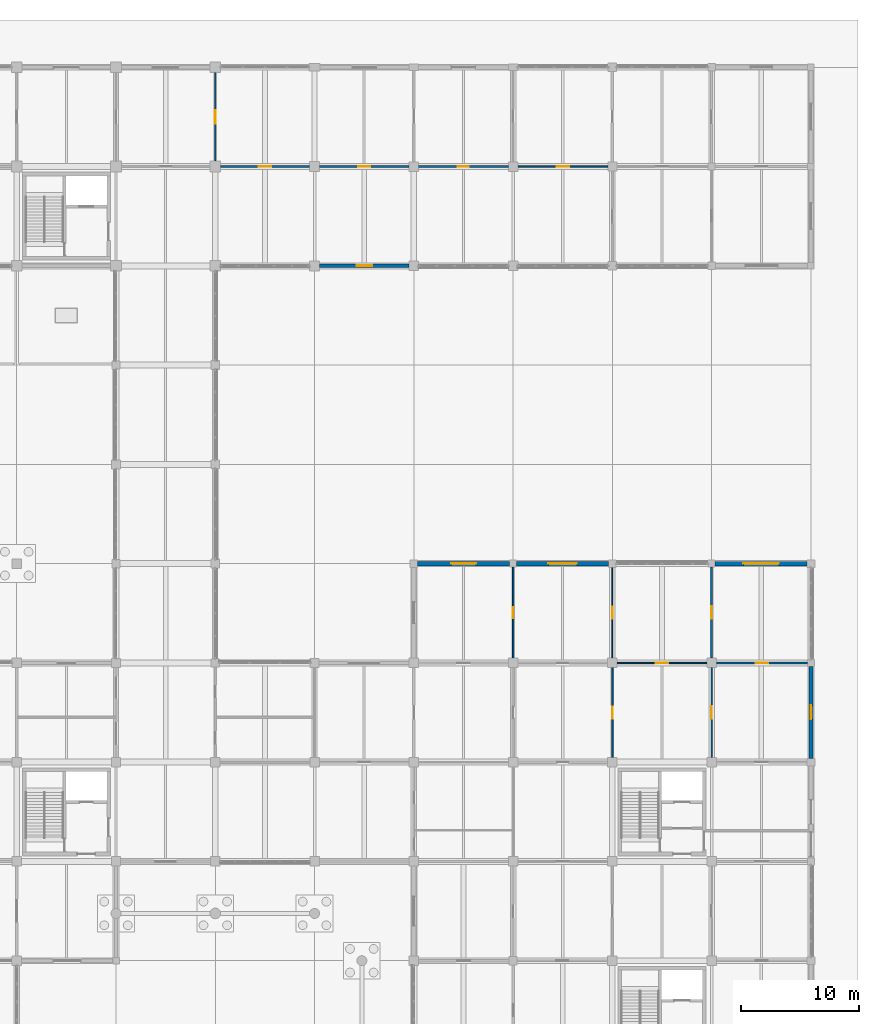
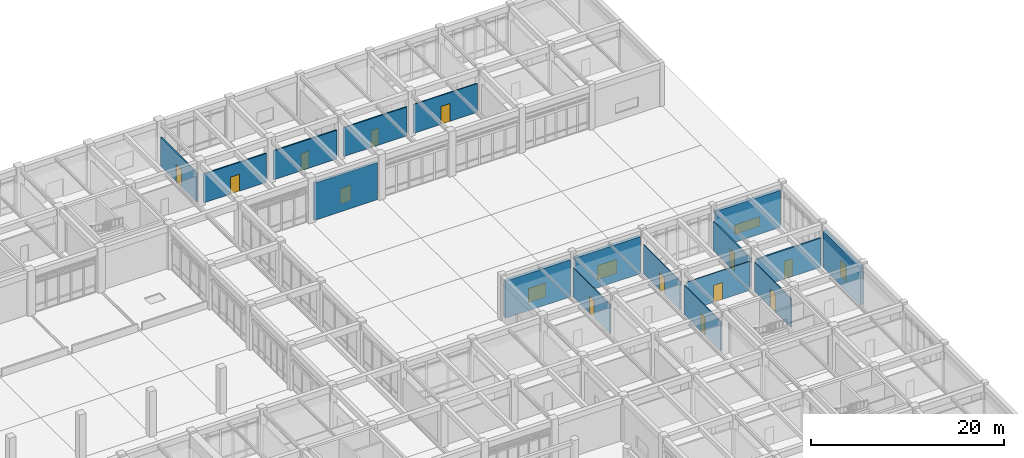
# One storey, part 81 of 91: 17 walls, 12 doors, 5 windows, 17 openings.
"""IFC4 building model written with IfcOpenShell, lengths in metres."""

from ifc_helpers import new_model, si_unit, direction, frame, frame_2d, origin, place, context, subcontext, project, spatial, rectangle, extrude, material, layer, layer_set, type_object, element, fill, save


model = new_model("IFC4")

# Units and contexts
model_context = context("Model", 3, precision=1e-05, world=origin(), true_north=direction((0.0, 1.0)))
body_context = subcontext(model_context, "Body", "Model", "MODEL_VIEW")
ifc_project = project(units=[si_unit("LENGTHUNIT", "METRE"), si_unit("AREAUNIT", "SQUARE_METRE"), si_unit("VOLUMEUNIT", "CUBIC_METRE"), si_unit("PLANEANGLEUNIT", "RADIAN"), si_unit("MASSUNIT", "GRAM", prefix="KILO")], contexts=[model_context])

# Site, building, storey
site_placement = place(None, origin())
site = spatial("IfcSite", under=ifc_project, at=site_placement, CompositionType="ELEMENT")
building_placement = place(site_placement, origin())
building = spatial("IfcBuilding", under=site, at=building_placement, Name="Porcellanite Civic Hall", CompositionType="ELEMENT")
storey_placement = place(building_placement, origin())
storey = spatial("IfcBuildingStorey", under=building, at=storey_placement, Name="L00", CompositionType="ELEMENT", Elevation=0.0)

# Wall, opening, window
ifc_material_1 = material(Name="Precast concrete N40 (40 MPa)", Category="concrete")
ifc_layer_1 = layer(ifc_material_1, 0.300048828125)
ifc_layer_set_1 = layer_set([ifc_layer_1], Name="Precast concrete N40 (40 MPa)")
wall_type_1 = type_object("IfcWallType", Name="EW-ADM300", PredefinedType="SOLIDWALL", material=ifc_layer_set_1)
wall_1_placement = place(storey_placement, frame((142.39892578125, 100.800048828125, 0.0), z_axis=(0.0, 0.0, 1.0), x_axis=(-1.0, 0.0, 0.0)))
wall_1 = element("IfcWall", 1, at=wall_1_placement, inside=storey, type_object=wall_type_1, Name="Exterior wall L00 S 17-13", PredefinedType="SOLIDWALL", context=body_context, shape_type="SweptSolid", body=[
    extrude(rectangle(XDim=7.572998046875, YDim=0.300048828125, at=frame_2d((3.78662109375, 0.0))), origin(), (0.0, 0.0, 1.0), 4.699951171875),
])
opening_1_placement = place(wall_1_placement, frame((3.136962890625, 0.0, 0.89990234375)))
opening_1 = element("IfcOpeningElement", 2, at=opening_1_placement, cuts=wall_1, Name="Opening W34", PredefinedType="OPENING", context=body_context, shape_type="SweptSolid", body=[
    extrude(rectangle(XDim=1.300048828125, YDim=1.949951171875, at=frame_2d((0.64990234375, 0.97509765625))), frame((0.0, 0.14990234375, 0.0), z_axis=(0.0, -1.0, 0.0), x_axis=(1.0, 0.0, 0.0)), (0.0, 0.0, 1.0), 0.300048828125),
])
ifc_material_2 = material(Name="Cyclone laminated low-E glazing in anodised aluminium frame", Category="aluminium")
window_type_1 = type_object("IfcWindowType", Name="WN-34", PartitioningType="SINGLE_PANEL", PredefinedType="WINDOW", material=ifc_material_2)
window_1_placement = place(opening_1_placement, origin())
window_1 = element("IfcWindow", 3, at=window_1_placement, inside=storey, type_object=window_type_1, Name="Window W34 L00 S 17-13", OverallHeight=1.949951171875, OverallWidth=1.300048828125, PartitioningType="SINGLE_PANEL", PredefinedType="WINDOW", context=body_context, shape_type="SweptSolid", body=[
    extrude(rectangle(XDim=1.300048828125, YDim=1.949951171875, at=frame_2d((0.64990234375, 0.97509765625))), frame((0.0, 0.030029296875, 0.0), z_axis=(0.0, -1.0, 0.0), x_axis=(1.0, 0.0, 0.0)), (0.0, 0.0, 1.0), 0.06005859375),
])
fill(opening_1, window_1)

ifc_material_3 = material(Name="Precast concrete N40 (40 MPa)", Category="concrete")
ifc_layer_2 = layer(ifc_material_3, 0.360107421875)
ifc_layer_set_2 = layer_set([ifc_layer_2], Name="Precast concrete N40 (40 MPa)")
wall_type_2 = type_object("IfcWallType", Name="EW-LIB360", PredefinedType="SOLIDWALL", material=ifc_layer_set_2)
wall_2_placement = place(storey_placement, frame((143.1259765625, 75.60009765625, 0.0), z_axis=(0.0, 0.0, 1.0), x_axis=(1.0, 0.0, 0.0)))
wall_2 = element("IfcWall", 4, at=wall_2_placement, inside=storey, type_object=wall_type_2, Name="Exterior wall L00 N 18-9", PredefinedType="SOLIDWALL", context=body_context, shape_type="SweptSolid", body=[
    extrude(rectangle(XDim=7.77294921875, YDim=0.360107421875, at=frame_2d((3.886474609375, 0.0))), origin(), (0.0, 0.0, 1.0), 4.699951171875),
])
opening_2_placement = place(wall_2_placement, frame((2.8369140625, 0.0, 0.89990234375)))
opening_2 = element("IfcOpeningElement", 5, at=opening_2_placement, cuts=wall_2, Name="Opening W02", PredefinedType="OPENING", context=body_context, shape_type="SweptSolid", body=[
    extrude(rectangle(XDim=2.10009765625, YDim=1.800048828125, at=frame_2d((1.050048828125, 0.89990234375))), frame((0.0, 0.18017578125, 0.0), z_axis=(0.0, -1.0, 0.0), x_axis=(1.0, 0.0, 0.0)), (0.0, 0.0, 1.0), 0.360107421875),
])
ifc_material_4 = material(Name="Cyclone laminated low-E glazing in anodised aluminium frame", Category="aluminium")
window_type_2 = type_object("IfcWindowType", Name="WN-02", PartitioningType="DOUBLE_PANEL_VERTICAL", PredefinedType="WINDOW", material=ifc_material_4)
window_2_placement = place(opening_2_placement, origin())
window_2 = element("IfcWindow", 6, at=window_2_placement, inside=storey, type_object=window_type_2, Name="Window W02 L00 N 18-9", OverallHeight=1.800048828125, OverallWidth=2.10009765625, PartitioningType="SINGLE_PANEL", PredefinedType="WINDOW", context=body_context, shape_type="SweptSolid", body=[
    extrude(rectangle(XDim=2.10009765625, YDim=1.800048828125, at=frame_2d((1.050048828125, 0.89990234375))), frame((0.0, 0.030029296875, 0.0), z_axis=(0.0, -1.0, 0.0), x_axis=(1.0, 0.0, 0.0)), (0.0, 0.0, 1.0), 0.06005859375),
])
fill(opening_2, window_2)

wall_3_placement = place(storey_placement, frame((151.5009765625, 75.60009765625, 0.0), z_axis=(0.0, 0.0, 1.0), x_axis=(1.0, 0.0, 0.0)))
wall_3 = element("IfcWall", 7, at=wall_3_placement, inside=storey, type_object=wall_type_2, Name="Exterior wall L00 N 19-9", PredefinedType="SOLIDWALL", context=body_context, shape_type="SweptSolid", body=[
    extrude(rectangle(XDim=7.77294921875, YDim=0.360107421875, at=frame_2d((3.886474609375, 0.0))), origin(), (0.0, 0.0, 1.0), 4.699951171875),
])
opening_3_placement = place(wall_3_placement, frame((2.68603515625, 0.0, 0.89990234375)))
opening_3 = element("IfcOpeningElement", 8, at=opening_3_placement, cuts=wall_3, Name="Opening W03", PredefinedType="OPENING", context=body_context, shape_type="SweptSolid", body=[
    extrude(rectangle(XDim=2.39990234375, YDim=1.800048828125, at=frame_2d((1.199951171875, 0.89990234375))), frame((0.0, 0.18017578125, 0.0), z_axis=(0.0, -1.0, 0.0), x_axis=(1.0, 0.0, 0.0)), (0.0, 0.0, 1.0), 0.360107421875),
])
ifc_material_5 = material(Name="Cyclone laminated low-E glazing in anodised aluminium frame", Category="aluminium")
window_type_3 = type_object("IfcWindowType", Name="WN-03", PartitioningType="TRIPLE_PANEL_VERTICAL", PredefinedType="WINDOW", material=ifc_material_5)
window_3_placement = place(opening_3_placement, origin())
window_3 = element("IfcWindow", 9, at=window_3_placement, inside=storey, type_object=window_type_3, Name="Window W03 L00 N 19-9", OverallHeight=1.800048828125, OverallWidth=2.39990234375, PartitioningType="SINGLE_PANEL", PredefinedType="WINDOW", context=body_context, shape_type="SweptSolid", body=[
    extrude(rectangle(XDim=2.39990234375, YDim=1.800048828125, at=frame_2d((1.199951171875, 0.89990234375))), frame((0.0, 0.030029296875, 0.0), z_axis=(0.0, -1.0, 0.0), x_axis=(1.0, 0.0, 0.0)), (0.0, 0.0, 1.0), 0.06005859375),
])
fill(opening_3, window_3)

wall_4_placement = place(storey_placement, frame((176.39990234375, 66.89892578125, 0.0), z_axis=(0.0, 0.0, 1.0), x_axis=(0.0, -1.0, 0.0)))
wall_4 = element("IfcWall", 10, at=wall_4_placement, inside=storey, type_object=wall_type_2, Name="Exterior wall L00 E 21-8", PredefinedType="SOLIDWALL", context=body_context, shape_type="SweptSolid", body=[
    extrude(rectangle(XDim=7.77294921875, YDim=0.360107421875, at=frame_2d((3.886474609375, 0.0))), origin(), (0.0, 0.0, 1.0), 4.699951171875),
])
opening_4_placement = place(wall_4_placement, frame((3.285888671875, 0.0, 0.89990234375)))
opening_4 = element("IfcOpeningElement", 11, at=opening_4_placement, cuts=wall_4, Name="Opening W08", PredefinedType="OPENING", context=body_context, shape_type="SweptSolid", body=[
    extrude(rectangle(XDim=1.199951171875, YDim=2.10009765625, at=frame_2d((0.60009765625, 1.050048828125))), frame((0.0, 0.18017578125, 0.0), z_axis=(0.0, -1.0, 0.0), x_axis=(1.0, 0.0, 0.0)), (0.0, 0.0, 1.0), 0.360107421875),
])
ifc_material_6 = material(Name="Cyclone laminated low-E glazing in anodised aluminium frame", Category="aluminium")
window_type_4 = type_object("IfcWindowType", Name="WN-08", PartitioningType="SINGLE_PANEL", PredefinedType="WINDOW", material=ifc_material_6)
window_4_placement = place(opening_4_placement, origin())
window_4 = element("IfcWindow", 12, at=window_4_placement, inside=storey, type_object=window_type_4, Name="Window W08 L00 E 21-8", OverallHeight=2.10009765625, OverallWidth=1.199951171875, PartitioningType="SINGLE_PANEL", PredefinedType="WINDOW", context=body_context, shape_type="SweptSolid", body=[
    extrude(rectangle(XDim=1.199951171875, YDim=2.10009765625, at=frame_2d((0.60009765625, 1.050048828125))), frame((0.0, 0.030029296875, 0.0), z_axis=(0.0, -1.0, 0.0), x_axis=(1.0, 0.0, 0.0)), (0.0, 0.0, 1.0), 0.06005859375),
])
fill(opening_4, window_4)

wall_5_placement = place(storey_placement, frame((168.301025390625, 75.60009765625, 0.0), z_axis=(0.0, 0.0, 1.0), x_axis=(1.0, 0.0, 0.0)))
wall_5 = element("IfcWall", 13, at=wall_5_placement, inside=storey, type_object=wall_type_2, Name="Exterior wall L00 N 21-9", PredefinedType="SOLIDWALL", context=body_context, shape_type="SweptSolid", body=[
    extrude(rectangle(XDim=7.77294921875, YDim=0.360107421875, at=frame_2d((3.886474609375, 0.0))), origin(), (0.0, 0.0, 1.0), 4.699951171875),
])
opening_5_placement = place(wall_5_placement, frame((2.385986328125, 0.0, 0.89990234375)))
opening_5 = element("IfcOpeningElement", 14, at=opening_5_placement, cuts=wall_5, Name="Opening W09", PredefinedType="OPENING", context=body_context, shape_type="SweptSolid", body=[
    extrude(rectangle(XDim=3.0, YDim=1.199951171875, at=frame_2d((1.5, 0.60009765625))), frame((0.0, 0.18017578125, 0.0), z_axis=(0.0, -1.0, 0.0), x_axis=(1.0, 0.0, 0.0)), (0.0, 0.0, 1.0), 0.360107421875),
])
ifc_material_7 = material(Name="Cyclone laminated low-E glazing in anodised aluminium frame", Category="aluminium")
window_type_5 = type_object("IfcWindowType", Name="WN-09", PartitioningType="TRIPLE_PANEL_HORIZONTAL", PredefinedType="WINDOW", material=ifc_material_7)
window_5_placement = place(opening_5_placement, origin())
window_5 = element("IfcWindow", 15, at=window_5_placement, inside=storey, type_object=window_type_5, Name="Window W09 L00 N 21-9", OverallHeight=1.199951171875, OverallWidth=3.0, PartitioningType="SINGLE_PANEL", PredefinedType="WINDOW", context=body_context, shape_type="SweptSolid", body=[
    extrude(rectangle(XDim=3.0, YDim=1.199951171875, at=frame_2d((1.5, 0.60009765625))), frame((0.0, 0.030029296875, 0.0), z_axis=(0.0, -1.0, 0.0), x_axis=(1.0, 0.0, 0.0)), (0.0, 0.0, 1.0), 0.06005859375),
])
fill(opening_5, window_5)

# Wall, opening, door
ifc_material_8 = material(Name="Fire-rated plasterboard on light-gauge steel studs", Category="steel")
ifc_layer_3 = layer(ifc_material_8, 0.14794921875)
ifc_layer_set_3 = layer_set([ifc_layer_3], Name="Fire-rated plasterboard on light-gauge steel studs")
wall_type_3 = type_object("IfcWallType", Name="IW-FR148", PredefinedType="PARTITIONING", material=ifc_layer_set_3)
wall_6_placement = place(storey_placement, frame((126.451904296875, 109.199951171875, 0.0), z_axis=(0.0, 0.0, 1.0), x_axis=(1.0, 0.0, 0.0)))
wall_6 = element("IfcWall", 16, at=wall_6_placement, inside=storey, type_object=wall_type_3, Name="Fire compartment wall L00 H 16-13", PredefinedType="PARTITIONING", context=body_context, shape_type="SweptSolid", body=[
    extrude(rectangle(XDim=7.52099609375, YDim=0.14794921875, at=frame_2d((3.760498046875, 0.0))), origin(), (0.0, 0.0, 1.0), 3.659912109375),
])
opening_6_placement = place(wall_6_placement, frame((3.236083984375, 0.0, 0.0)))
opening_6 = element("IfcOpeningElement", 17, at=opening_6_placement, cuts=wall_6, Name="Opening D-L00-061", PredefinedType="OPENING", context=body_context, shape_type="SweptSolid", body=[
    extrude(rectangle(XDim=1.050048828125, YDim=2.14990234375, at=frame_2d((0.52490234375, 1.074951171875))), frame((0.0, 0.073974609375, 0.0), z_axis=(0.0, -1.0, 0.0), x_axis=(1.0, 0.0, 0.0)), (0.0, 0.0, 1.0), 0.14794921875),
])
ifc_material_9 = material(Name="Fire-rated solid-core hardwood timber", Category="wood")
door_type_1 = type_object("IfcDoorType", Name="DR-FD105", OperationType="NOTDEFINED", PredefinedType="DOOR", material=ifc_material_9)
door_1_placement = place(opening_6_placement, origin())
door_1 = element("IfcDoor", 18, at=door_1_placement, inside=storey, type_object=door_type_1, Name="Interior door D-L00-061", OperationType="SINGLE_SWING_RIGHT", OverallHeight=2.14990234375, OverallWidth=1.050048828125, PredefinedType="DOOR", context=body_context, shape_type="SweptSolid", body=[
    extrude(rectangle(XDim=1.050048828125, YDim=2.14990234375, at=frame_2d((0.52490234375, 1.074951171875))), frame((0.0, 0.02490234375, 0.0), z_axis=(0.0, -1.0, 0.0), x_axis=(1.0, 0.0, 0.0)), (0.0, 0.0, 1.0), 0.050048828125),
])
fill(opening_6, door_1)

ifc_material_10 = material(Name="Fire-rated plasterboard on light-gauge steel studs", Category="steel")
ifc_layer_4 = layer(ifc_material_10, 0.159912109375)
ifc_layer_set_4 = layer_set([ifc_layer_4], Name="Fire-rated plasterboard on light-gauge steel studs")
wall_type_4 = type_object("IfcWallType", Name="IW-FR160", PredefinedType="PARTITIONING", material=ifc_layer_set_4)
wall_7_placement = place(storey_placement, frame((134.826904296875, 109.199951171875, 0.0), z_axis=(0.0, 0.0, 1.0), x_axis=(1.0, 0.0, 0.0)))
wall_7 = element("IfcWall", 19, at=wall_7_placement, inside=storey, type_object=wall_type_4, Name="Fire compartment wall L00 H 17-13", PredefinedType="PARTITIONING", context=body_context, shape_type="SweptSolid", body=[
    extrude(rectangle(XDim=7.571044921875, YDim=0.159912109375, at=frame_2d((3.78564453125, 0.0))), origin(), (0.0, 0.0, 1.0), 3.659912109375),
])
opening_7_placement = place(wall_7_placement, frame((3.284912109375, 0.0, 0.0)))
opening_7 = element("IfcOpeningElement", 20, at=opening_7_placement, cuts=wall_7, Name="Opening D-L00-063", PredefinedType="OPENING", context=body_context, shape_type="SweptSolid", body=[
    extrude(rectangle(XDim=1.0, YDim=2.14990234375, at=frame_2d((0.5, 1.074951171875))), frame((0.0, 0.080078125, 0.0), z_axis=(0.0, -1.0, 0.0), x_axis=(1.0, 0.0, 0.0)), (0.0, 0.0, 1.0), 0.159912109375),
])
ifc_material_11 = material(Name="Fire-rated solid-core hardwood timber", Category="wood")
door_type_2 = type_object("IfcDoorType", Name="DR-FD100", OperationType="NOTDEFINED", PredefinedType="DOOR", material=ifc_material_11)
door_2_placement = place(opening_7_placement, origin())
door_2 = element("IfcDoor", 21, at=door_2_placement, inside=storey, type_object=door_type_2, Name="Interior door D-L00-063", OperationType="SINGLE_SWING_RIGHT", OverallHeight=2.14990234375, OverallWidth=1.0, PredefinedType="DOOR", context=body_context, shape_type="SweptSolid", body=[
    extrude(rectangle(XDim=1.0, YDim=2.14990234375, at=frame_2d((0.5, 1.074951171875))), frame((0.0, 0.02490234375, 0.0), z_axis=(0.0, -1.0, 0.0), x_axis=(1.0, 0.0, 0.0)), (0.0, 0.0, 1.0), 0.050048828125),
])
fill(opening_7, door_2)

wall_8_placement = place(storey_placement, frame((126.0, 109.652099609375, 0.0), z_axis=(0.0, 0.0, 1.0), x_axis=(0.0, 1.0, 0.0)))
wall_8 = element("IfcWall", 22, at=wall_8_placement, inside=storey, type_object=wall_type_4, Name="Fire compartment wall L00 V 15-14", PredefinedType="PARTITIONING", context=body_context, shape_type="SweptSolid", body=[
    extrude(rectangle(XDim=7.495849609375, YDim=0.159912109375, at=frame_2d((3.748046875, 0.0))), origin(), (0.0, 0.0, 1.0), 3.659912109375),
])
opening_8_placement = place(wall_8_placement, frame((3.173095703125, 0.0, 0.0)))
opening_8 = element("IfcOpeningElement", 23, at=opening_8_placement, cuts=wall_8, Name="Opening D-L00-130", PredefinedType="OPENING", context=body_context, shape_type="SweptSolid", body=[
    extrude(rectangle(XDim=1.14990234375, YDim=2.199951171875, at=frame_2d((0.574951171875, 1.10009765625))), frame((0.0, 0.080078125, 0.0), z_axis=(0.0, -1.0, 0.0), x_axis=(1.0, 0.0, 0.0)), (0.0, 0.0, 1.0), 0.159912109375),
])
ifc_material_12 = material(Name="Fire-rated solid-core hardwood timber", Category="wood")
door_type_3 = type_object("IfcDoorType", Name="DR-FD115", OperationType="NOTDEFINED", PredefinedType="DOOR", material=ifc_material_12)
door_3_placement = place(opening_8_placement, origin())
door_3 = element("IfcDoor", 24, at=door_3_placement, inside=storey, type_object=door_type_3, Name="Interior door D-L00-130", OperationType="SINGLE_SWING_RIGHT", OverallHeight=2.199951171875, OverallWidth=1.14990234375, PredefinedType="DOOR", context=body_context, shape_type="SweptSolid", body=[
    extrude(rectangle(XDim=1.14990234375, YDim=2.199951171875, at=frame_2d((0.574951171875, 1.10009765625))), frame((0.0, 0.02490234375, 0.0), z_axis=(0.0, -1.0, 0.0), x_axis=(1.0, 0.0, 0.0)), (0.0, 0.0, 1.0), 0.050048828125),
])
fill(opening_8, door_3)

ifc_material_13 = material(Name="Insulated acoustic plasterboard on light-gauge steel studs", Category="steel")
ifc_layer_5 = layer(ifc_material_13, 0.087890625)
ifc_layer_set_5 = layer_set([ifc_layer_5], Name="Insulated acoustic plasterboard on light-gauge steel studs")
wall_type_5 = type_object("IfcWallType", Name="IW-PT088", PredefinedType="PARTITIONING", material=ifc_layer_set_5)
wall_9_placement = place(storey_placement, frame((159.60009765625, 67.60205078125, 0.0), z_axis=(0.0, 0.0, 1.0), x_axis=(0.0, 1.0, 0.0)))
wall_9 = element("IfcWall", 25, at=wall_9_placement, inside=storey, type_object=wall_type_5, Name="Partition L00 V 19-9", PredefinedType="PARTITIONING", context=body_context, shape_type="SweptSolid", body=[
    extrude(rectangle(XDim=7.6708984375, YDim=0.087890625, at=frame_2d((3.83544921875, 0.0))), origin(), (0.0, 0.0, 1.0), 3.659912109375),
])
opening_9_placement = place(wall_9_placement, frame((3.3310546875, 0.0, 0.0)))
opening_9 = element("IfcOpeningElement", 26, at=opening_9_placement, cuts=wall_9, Name="Opening D-L00-166", PredefinedType="OPENING", context=body_context, shape_type="SweptSolid", body=[
    extrude(rectangle(XDim=1.010009765625, YDim=2.1201171875, at=frame_2d((0.5048828125, 1.06005859375))), frame((0.0, 0.0439453125, 0.0), z_axis=(0.0, -1.0, 0.0), x_axis=(1.0, 0.0, 0.0)), (0.0, 0.0, 1.0), 0.087890625),
])
ifc_material_14 = material(Name="Solid-core spotted-gum timber", Category="wood")
door_type_4 = type_object("IfcDoorType", Name="DR-RM101", OperationType="NOTDEFINED", PredefinedType="DOOR", material=ifc_material_14)
door_4_placement = place(opening_9_placement, origin())
door_4 = element("IfcDoor", 27, at=door_4_placement, inside=storey, type_object=door_type_4, Name="Interior door D-L00-166", OperationType="SINGLE_SWING_RIGHT", OverallHeight=2.1201171875, OverallWidth=1.010009765625, PredefinedType="DOOR", context=body_context, shape_type="SweptSolid", body=[
    extrude(rectangle(XDim=1.010009765625, YDim=2.1201171875, at=frame_2d((0.5048828125, 1.06005859375))), frame((0.0, 0.02490234375, 0.0), z_axis=(0.0, -1.0, 0.0), x_axis=(1.0, 0.0, 0.0)), (0.0, 0.0, 1.0), 0.050048828125),
])
fill(opening_9, door_4)

ifc_material_15 = material(Name="Insulated acoustic plasterboard on light-gauge steel studs", Category="steel")
ifc_layer_6 = layer(ifc_material_15, 0.10498046875)
ifc_layer_set_6 = layer_set([ifc_layer_6], Name="Insulated acoustic plasterboard on light-gauge steel studs")
wall_type_6 = type_object("IfcWallType", Name="IW-PT105", PredefinedType="PARTITIONING", material=ifc_layer_set_6)
wall_10_placement = place(storey_placement, frame((160.001953125, 67.199951171875, 0.0), z_axis=(0.0, 0.0, 1.0), x_axis=(1.0, 0.0, 0.0)))
wall_10 = element("IfcWall", 28, at=wall_10_placement, inside=storey, type_object=wall_type_6, Name="Partition L00 H 20-8", PredefinedType="PARTITIONING", context=body_context, shape_type="SweptSolid", body=[
    extrude(rectangle(XDim=7.595947265625, YDim=0.10498046875, at=frame_2d((3.7978515625, 0.0))), origin(), (0.0, 0.0, 1.0), 3.659912109375),
])
opening_10_placement = place(wall_10_placement, frame((3.27294921875, 0.0, 0.0)))
opening_10 = element("IfcOpeningElement", 29, at=opening_10_placement, cuts=wall_10, Name="Opening D-L00-113", PredefinedType="OPENING", context=body_context, shape_type="SweptSolid", body=[
    extrude(rectangle(XDim=1.050048828125, YDim=2.1201171875, at=frame_2d((0.52490234375, 1.06005859375))), frame((0.0, 0.052490234375, 0.0), z_axis=(0.0, -1.0, 0.0), x_axis=(1.0, 0.0, 0.0)), (0.0, 0.0, 1.0), 0.10498046875),
])
ifc_material_16 = material(Name="Solid-core spotted-gum timber", Category="wood")
door_type_5 = type_object("IfcDoorType", Name="DR-RM105", OperationType="NOTDEFINED", PredefinedType="DOOR", material=ifc_material_16)
door_5_placement = place(opening_10_placement, origin())
door_5 = element("IfcDoor", 30, at=door_5_placement, inside=storey, type_object=door_type_5, Name="Interior door D-L00-113", OperationType="SINGLE_SWING_RIGHT", OverallHeight=2.1201171875, OverallWidth=1.050048828125, PredefinedType="DOOR", context=body_context, shape_type="SweptSolid", body=[
    extrude(rectangle(XDim=1.050048828125, YDim=2.1201171875, at=frame_2d((0.52490234375, 1.06005859375))), frame((0.0, 0.02490234375, 0.0), z_axis=(0.0, -1.0, 0.0), x_axis=(1.0, 0.0, 0.0)), (0.0, 0.0, 1.0), 0.050048828125),
])
fill(opening_10, door_5)

wall_11_placement = place(storey_placement, frame((168.0, 59.201904296875, 0.0), z_axis=(0.0, 0.0, 1.0), x_axis=(0.0, 1.0, 0.0)))
wall_11 = element("IfcWall", 31, at=wall_11_placement, inside=storey, type_object=wall_type_6, Name="Partition L00 V 20-8", PredefinedType="PARTITIONING", context=body_context, shape_type="SweptSolid", body=[
    extrude(rectangle(XDim=7.59619140625, YDim=0.10498046875, at=frame_2d((3.798095703125, 0.0))), origin(), (0.0, 0.0, 1.0), 3.659912109375),
])
opening_11_placement = place(wall_11_placement, frame((3.258056640625, 0.0, 0.0)))
opening_11 = element("IfcOpeningElement", 32, at=opening_11_placement, cuts=wall_11, Name="Opening D-L00-169", PredefinedType="OPENING", context=body_context, shape_type="SweptSolid", body=[
    extrude(rectangle(XDim=1.080078125, YDim=2.25, at=frame_2d((0.5400390625, 1.125))), frame((0.0, 0.052490234375, 0.0), z_axis=(0.0, -1.0, 0.0), x_axis=(1.0, 0.0, 0.0)), (0.0, 0.0, 1.0), 0.10498046875),
])
ifc_material_17 = material(Name="Solid-core spotted-gum timber", Category="wood")
door_type_6 = type_object("IfcDoorType", Name="DR-RM108", OperationType="NOTDEFINED", PredefinedType="DOOR", material=ifc_material_17)
door_6_placement = place(opening_11_placement, origin())
door_6 = element("IfcDoor", 33, at=door_6_placement, inside=storey, type_object=door_type_6, Name="Interior door D-L00-169", OperationType="SINGLE_SWING_LEFT", OverallHeight=2.25, OverallWidth=1.080078125, PredefinedType="DOOR", context=body_context, shape_type="SweptSolid", body=[
    extrude(rectangle(XDim=1.080078125, YDim=2.25, at=frame_2d((0.5400390625, 1.125))), frame((0.0, 0.02490234375, 0.0), z_axis=(0.0, -1.0, 0.0), x_axis=(1.0, 0.0, 0.0)), (0.0, 0.0, 1.0), 0.050048828125),
])
fill(opening_11, door_6)

ifc_material_18 = material(Name="Insulated acoustic plasterboard on light-gauge steel studs", Category="steel")
ifc_layer_7 = layer(ifc_material_18, 0.114990234375)
ifc_layer_set_7 = layer_set([ifc_layer_7], Name="Insulated acoustic plasterboard on light-gauge steel studs")
wall_type_7 = type_object("IfcWallType", Name="IW-PT115", PredefinedType="PARTITIONING", material=ifc_layer_set_7)
wall_12_placement = place(storey_placement, frame((151.199951171875, 67.60205078125, 0.0), z_axis=(0.0, 0.0, 1.0), x_axis=(0.0, 1.0, 0.0)))
wall_12 = element("IfcWall", 34, at=wall_12_placement, inside=storey, type_object=wall_type_7, Name="Partition L00 V 18-9", PredefinedType="PARTITIONING", context=body_context, shape_type="SweptSolid", body=[
    extrude(rectangle(XDim=7.696044921875, YDim=0.114990234375, at=frame_2d((3.84814453125, 0.0))), origin(), (0.0, 0.0, 1.0), 3.659912109375),
])
opening_12_placement = place(wall_12_placement, frame((3.3779296875, 0.0, 0.0)))
opening_12 = element("IfcOpeningElement", 35, at=opening_12_placement, cuts=wall_12, Name="Opening D-L00-163", PredefinedType="OPENING", context=body_context, shape_type="SweptSolid", body=[
    extrude(rectangle(XDim=0.93994140625, YDim=2.14990234375, at=frame_2d((0.469970703125, 1.074951171875))), frame((0.0, 0.0576171875, 0.0), z_axis=(0.0, -1.0, 0.0), x_axis=(1.0, 0.0, 0.0)), (0.0, 0.0, 1.0), 0.114990234375),
])
ifc_material_19 = material(Name="Solid-core spotted-gum timber", Category="wood")
door_type_7 = type_object("IfcDoorType", Name="DR-RM094", OperationType="NOTDEFINED", PredefinedType="DOOR", material=ifc_material_19)
door_7_placement = place(opening_12_placement, origin())
door_7 = element("IfcDoor", 36, at=door_7_placement, inside=storey, type_object=door_type_7, Name="Interior door D-L00-163", OperationType="SINGLE_SWING_LEFT", OverallHeight=2.14990234375, OverallWidth=0.93994140625, PredefinedType="DOOR", context=body_context, shape_type="SweptSolid", body=[
    extrude(rectangle(XDim=0.93994140625, YDim=2.14990234375, at=frame_2d((0.469970703125, 1.074951171875))), frame((0.0, 0.02490234375, 0.0), z_axis=(0.0, -1.0, 0.0), x_axis=(1.0, 0.0, 0.0)), (0.0, 0.0, 1.0), 0.050048828125),
])
fill(opening_12, door_7)

ifc_material_20 = material(Name="Insulated acoustic plasterboard on light-gauge steel studs", Category="steel")
ifc_layer_8 = layer(ifc_material_20, 0.125)
ifc_layer_set_8 = layer_set([ifc_layer_8], Name="Insulated acoustic plasterboard on light-gauge steel studs")
wall_type_8 = type_object("IfcWallType", Name="IW-PT125", PredefinedType="PARTITIONING", material=ifc_layer_set_8)
wall_13_placement = place(storey_placement, frame((151.60205078125, 109.199951171875, 0.0), z_axis=(0.0, 0.0, 1.0), x_axis=(1.0, 0.0, 0.0)))
wall_13 = element("IfcWall", 37, at=wall_13_placement, inside=storey, type_object=wall_type_8, Name="Partition L00 H 19-13", PredefinedType="PARTITIONING", context=body_context, shape_type="SweptSolid", body=[
    extrude(rectangle(XDim=7.620849609375, YDim=0.125, at=frame_2d((3.810546875, 0.0))), origin(), (0.0, 0.0, 1.0), 3.659912109375),
])
opening_13_placement = place(wall_13_placement, frame((3.27099609375, 0.0, 0.0)))
opening_13 = element("IfcOpeningElement", 38, at=opening_13_placement, cuts=wall_13, Name="Opening D-L00-065", PredefinedType="OPENING", context=body_context, shape_type="SweptSolid", body=[
    extrude(rectangle(XDim=1.080078125, YDim=2.25, at=frame_2d((0.5400390625, 1.125))), frame((0.0, 0.0625, 0.0), z_axis=(0.0, -1.0, 0.0), x_axis=(1.0, 0.0, 0.0)), (0.0, 0.0, 1.0), 0.125),
])
door_8_placement = place(opening_13_placement, origin())
door_8 = element("IfcDoor", 39, at=door_8_placement, inside=storey, type_object=door_type_6, Name="Interior door D-L00-065", OperationType="SINGLE_SWING_RIGHT", OverallHeight=2.25, OverallWidth=1.080078125, PredefinedType="DOOR", context=body_context, shape_type="SweptSolid", body=[
    extrude(rectangle(XDim=1.080078125, YDim=2.25, at=frame_2d((0.5400390625, 1.125))), frame((0.0, 0.02490234375, 0.0), z_axis=(0.0, -1.0, 0.0), x_axis=(1.0, 0.0, 0.0)), (0.0, 0.0, 1.0), 0.050048828125),
])
fill(opening_13, door_8)

ifc_material_21 = material(Name="Insulated acoustic plasterboard on light-gauge steel studs", Category="steel")
ifc_layer_9 = layer(ifc_material_21, 0.135009765625)
ifc_layer_set_9 = layer_set([ifc_layer_9], Name="Insulated acoustic plasterboard on light-gauge steel studs")
wall_type_9 = type_object("IfcWallType", Name="IW-PT135", PredefinedType="PARTITIONING", material=ifc_layer_set_9)
wall_14_placement = place(storey_placement, frame((159.60009765625, 59.201904296875, 0.0), z_axis=(0.0, 0.0, 1.0), x_axis=(0.0, 1.0, 0.0)))
wall_14 = element("IfcWall", 40, at=wall_14_placement, inside=storey, type_object=wall_type_9, Name="Partition L00 V 19-8", PredefinedType="PARTITIONING", context=body_context, shape_type="SweptSolid", body=[
    extrude(rectangle(XDim=7.59619140625, YDim=0.135009765625, at=frame_2d((3.798095703125, 0.0))), origin(), (0.0, 0.0, 1.0), 3.659912109375),
])
opening_14_placement = place(wall_14_placement, frame((3.2880859375, 0.0, 0.0)))
opening_14 = element("IfcOpeningElement", 41, at=opening_14_placement, cuts=wall_14, Name="Opening D-L00-133", PredefinedType="OPENING", context=body_context, shape_type="SweptSolid", body=[
    extrude(rectangle(XDim=1.02001953125, YDim=2.199951171875, at=frame_2d((0.510009765625, 1.10009765625))), frame((0.0, 0.0673828125, 0.0), z_axis=(0.0, -1.0, 0.0), x_axis=(1.0, 0.0, 0.0)), (0.0, 0.0, 1.0), 0.135009765625),
])
ifc_material_22 = material(Name="Solid-core spotted-gum timber", Category="wood")
door_type_8 = type_object("IfcDoorType", Name="DR-RM102", OperationType="NOTDEFINED", PredefinedType="DOOR", material=ifc_material_22)
door_9_placement = place(opening_14_placement, origin())
door_9 = element("IfcDoor", 42, at=door_9_placement, inside=storey, type_object=door_type_8, Name="Interior door D-L00-133", OperationType="SINGLE_SWING_LEFT", OverallHeight=2.199951171875, OverallWidth=1.02001953125, PredefinedType="DOOR", context=body_context, shape_type="SweptSolid", body=[
    extrude(rectangle(XDim=1.02001953125, YDim=2.199951171875, at=frame_2d((0.510009765625, 1.10009765625))), frame((0.0, 0.02490234375, 0.0), z_axis=(0.0, -1.0, 0.0), x_axis=(1.0, 0.0, 0.0)), (0.0, 0.0, 1.0), 0.050048828125),
])
fill(opening_14, door_9)

ifc_material_23 = material(Name="Insulated acoustic plasterboard on light-gauge steel studs", Category="steel")
ifc_layer_10 = layer(ifc_material_23, 0.155029296875)
ifc_layer_set_10 = layer_set([ifc_layer_10], Name="Insulated acoustic plasterboard on light-gauge steel studs")
wall_type_10 = type_object("IfcWallType", Name="IW-PT155", PredefinedType="PARTITIONING", material=ifc_layer_set_10)
wall_15_placement = place(storey_placement, frame((143.201904296875, 109.199951171875, 0.0), z_axis=(0.0, 0.0, 1.0), x_axis=(1.0, 0.0, 0.0)))
wall_15 = element("IfcWall", 43, at=wall_15_placement, inside=storey, type_object=wall_type_10, Name="Partition L00 H 18-13", PredefinedType="PARTITIONING", context=body_context, shape_type="SweptSolid", body=[
    extrude(rectangle(XDim=7.59619140625, YDim=0.155029296875, at=frame_2d((3.798095703125, 0.0))), origin(), (0.0, 0.0, 1.0), 3.659912109375),
])
opening_15_placement = place(wall_15_placement, frame((3.3330078125, 0.0, 0.0)))
opening_15 = element("IfcOpeningElement", 44, at=opening_15_placement, cuts=wall_15, Name="Opening D-L00-064", PredefinedType="OPENING", context=body_context, shape_type="SweptSolid", body=[
    extrude(rectangle(XDim=0.929931640625, YDim=2.1201171875, at=frame_2d((0.46484375, 1.06005859375))), frame((0.0, 0.07763671875, 0.0), z_axis=(0.0, -1.0, 0.0), x_axis=(1.0, 0.0, 0.0)), (0.0, 0.0, 1.0), 0.155029296875),
])
ifc_material_24 = material(Name="Solid-core spotted-gum timber", Category="wood")
door_type_9 = type_object("IfcDoorType", Name="DR-RM093", OperationType="NOTDEFINED", PredefinedType="DOOR", material=ifc_material_24)
door_10_placement = place(opening_15_placement, origin())
door_10 = element("IfcDoor", 45, at=door_10_placement, inside=storey, type_object=door_type_9, Name="Interior door D-L00-064", OperationType="SINGLE_SWING_LEFT", OverallHeight=2.1201171875, OverallWidth=0.929931640625, PredefinedType="DOOR", context=body_context, shape_type="SweptSolid", body=[
    extrude(rectangle(XDim=0.929931640625, YDim=2.1201171875, at=frame_2d((0.46484375, 1.06005859375))), frame((0.0, 0.02490234375, 0.0), z_axis=(0.0, -1.0, 0.0), x_axis=(1.0, 0.0, 0.0)), (0.0, 0.0, 1.0), 0.050048828125),
])
fill(opening_15, door_10)

ifc_material_25 = material(Name="Insulated acoustic plasterboard on light-gauge steel studs", Category="steel")
ifc_layer_11 = layer(ifc_material_25, 0.175048828125)
ifc_layer_set_11 = layer_set([ifc_layer_11], Name="Insulated acoustic plasterboard on light-gauge steel studs")
wall_type_11 = type_object("IfcWallType", Name="IW-PT175", PredefinedType="PARTITIONING", material=ifc_layer_set_11)
wall_16_placement = place(storey_placement, frame((168.0, 67.60205078125, 0.0), z_axis=(0.0, 0.0, 1.0), x_axis=(0.0, 1.0, 0.0)))
wall_16 = element("IfcWall", 46, at=wall_16_placement, inside=storey, type_object=wall_type_11, Name="Partition L00 V 20-9", PredefinedType="PARTITIONING", context=body_context, shape_type="SweptSolid", body=[
    extrude(rectangle(XDim=7.696044921875, YDim=0.175048828125, at=frame_2d((3.84814453125, 0.0))), origin(), (0.0, 0.0, 1.0), 3.659912109375),
])
opening_16_placement = place(wall_16_placement, frame((3.318115234375, 0.0, 0.0)))
opening_16 = element("IfcOpeningElement", 47, at=opening_16_placement, cuts=wall_16, Name="Opening D-L00-170", PredefinedType="OPENING", context=body_context, shape_type="SweptSolid", body=[
    extrude(rectangle(XDim=1.06005859375, YDim=2.25, at=frame_2d((0.530029296875, 1.125))), frame((0.0, 0.08740234375, 0.0), z_axis=(0.0, -1.0, 0.0), x_axis=(1.0, 0.0, 0.0)), (0.0, 0.0, 1.0), 0.175048828125),
])
ifc_material_26 = material(Name="Solid-core spotted-gum timber", Category="wood")
door_type_10 = type_object("IfcDoorType", Name="DR-RM106", OperationType="NOTDEFINED", PredefinedType="DOOR", material=ifc_material_26)
door_11_placement = place(opening_16_placement, origin())
door_11 = element("IfcDoor", 48, at=door_11_placement, inside=storey, type_object=door_type_10, Name="Interior door D-L00-170", OperationType="SINGLE_SWING_RIGHT", OverallHeight=2.25, OverallWidth=1.06005859375, PredefinedType="DOOR", context=body_context, shape_type="SweptSolid", body=[
    extrude(rectangle(XDim=1.06005859375, YDim=2.25, at=frame_2d((0.530029296875, 1.125))), frame((0.0, 0.02490234375, 0.0), z_axis=(0.0, -1.0, 0.0), x_axis=(1.0, 0.0, 0.0)), (0.0, 0.0, 1.0), 0.050048828125),
])
fill(opening_16, door_11)

ifc_material_27 = material(Name="Insulated acoustic plasterboard on light-gauge steel studs", Category="steel")
ifc_layer_12 = layer(ifc_material_27, 0.195068359375)
ifc_layer_set_12 = layer_set([ifc_layer_12], Name="Insulated acoustic plasterboard on light-gauge steel studs")
wall_type_12 = type_object("IfcWallType", Name="IW-PT195", PredefinedType="PARTITIONING", material=ifc_layer_set_12)
wall_17_placement = place(storey_placement, frame((168.402099609375, 67.199951171875, 0.0), z_axis=(0.0, 0.0, 1.0), x_axis=(1.0, 0.0, 0.0)))
wall_17 = element("IfcWall", 49, at=wall_17_placement, inside=storey, type_object=wall_type_12, Name="Partition L00 H 21-8", PredefinedType="PARTITIONING", context=body_context, shape_type="SweptSolid", body=[
    extrude(rectangle(XDim=7.69580078125, YDim=0.195068359375, at=frame_2d((3.847900390625, 0.0))), origin(), (0.0, 0.0, 1.0), 3.659912109375),
])
opening_17_placement = place(wall_17_placement, frame((3.327880859375, 0.0, 0.0)))
opening_17 = element("IfcOpeningElement", 50, at=opening_17_placement, cuts=wall_17, Name="Opening D-L00-119", PredefinedType="OPENING", context=body_context, shape_type="SweptSolid", body=[
    extrude(rectangle(XDim=1.0400390625, YDim=2.199951171875, at=frame_2d((0.52001953125, 1.10009765625))), frame((0.0, 0.09765625, 0.0), z_axis=(0.0, -1.0, 0.0), x_axis=(1.0, 0.0, 0.0)), (0.0, 0.0, 1.0), 0.195068359375),
])
ifc_material_28 = material(Name="Solid-core spotted-gum timber", Category="wood")
door_type_11 = type_object("IfcDoorType", Name="DR-RM104", OperationType="NOTDEFINED", PredefinedType="DOOR", material=ifc_material_28)
door_12_placement = place(opening_17_placement, origin())
door_12 = element("IfcDoor", 51, at=door_12_placement, inside=storey, type_object=door_type_11, Name="Interior door D-L00-119", OperationType="SINGLE_SWING_RIGHT", OverallHeight=2.199951171875, OverallWidth=1.0400390625, PredefinedType="DOOR", context=body_context, shape_type="SweptSolid", body=[
    extrude(rectangle(XDim=1.0400390625, YDim=2.199951171875, at=frame_2d((0.52001953125, 1.10009765625))), frame((0.0, 0.02490234375, 0.0), z_axis=(0.0, -1.0, 0.0), x_axis=(1.0, 0.0, 0.0)), (0.0, 0.0, 1.0), 0.050048828125),
])
fill(opening_17, door_12)

save(model, "model.ifc")
